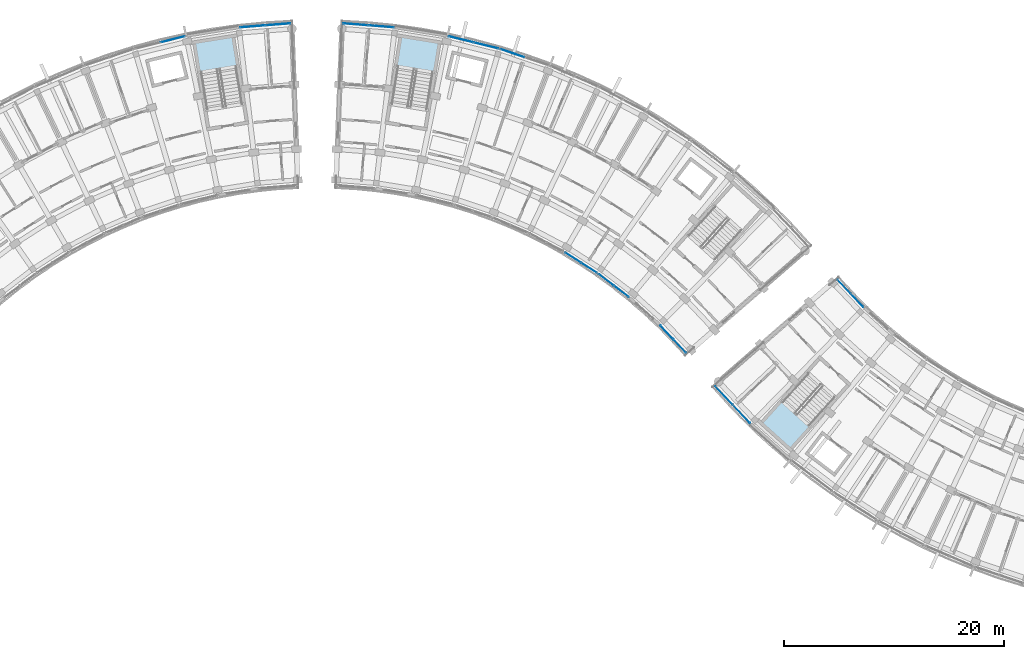
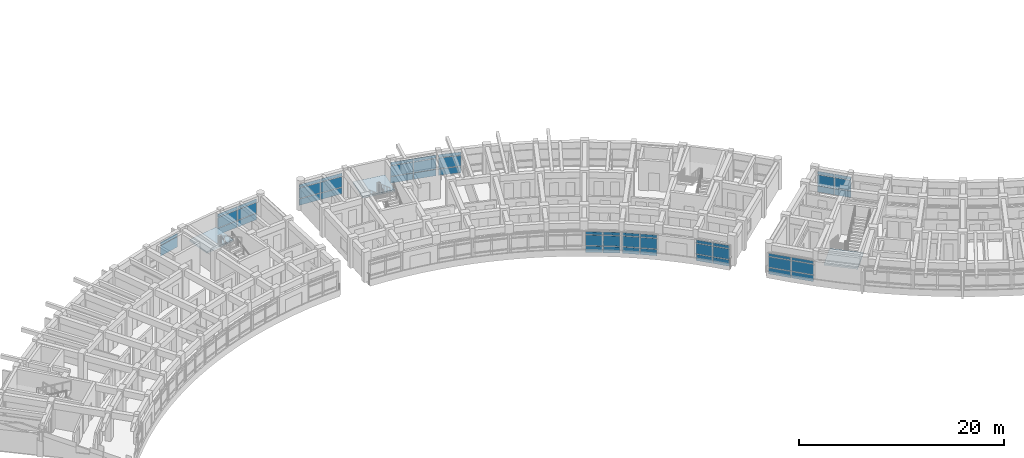
# One storey, part 47 of 83: 53 plates, 3 slabs, 13 elements without a shape of their own.
"""IFC4 building model written with IfcOpenShell, lengths in metres."""

import ifcopenshell
import ifcopenshell.guid

model = None  # the IFC model being written
_history = None  # IfcOwnerHistory: only IFC2X3 demands one
_inside = {}  # id of a spatial element -> (the spatial element, [elements in it])
_under = {}  # id of a project, library or spatial element -> (it, [spatial elements below it])
_declared = {}  # id of a project -> (the project, [libraries it declares])
_typed = {}  # id of a type object -> (the type object, [elements of that type])
_made_of = {}  # id of a material, layer set ... -> (it, [elements and type objects made of it])


def new_model(schema):
    """Start an empty IFC model of exactly this schema.

    Asked for "IFC4X3", IfcOpenShell would pick the latest addendum, in which some entities
    have other attributes; the version numbers below select the first issue.
    IFC2X3 requires an IfcOwnerHistory on every rooted entity: one is made here for all.
    """
    global model, _history
    if schema == "IFC4X3":
        model = ifcopenshell.file(schema_version=(4, 3, 0, 0))
    else:
        model = ifcopenshell.file(schema=schema)
    _inside.clear()
    _under.clear()
    _declared.clear()
    _typed.clear()
    _made_of.clear()
    _history = None
    if model.schema == "IFC2X3":
        org = make("IfcOrganization", Name="unknown")
        user = make(
            "IfcPersonAndOrganization",
            ThePerson=make("IfcPerson", FamilyName="unknown"),
            TheOrganization=org,
        )
        app = make(
            "IfcApplication",
            ApplicationDeveloper=org,
            Version="unknown",
            ApplicationFullName="unknown",
            ApplicationIdentifier="unknown",
        )
        _history = make(
            "IfcOwnerHistory",
            OwningUser=user,
            OwningApplication=app,
            ChangeAction="ADDED",
            CreationDate=0,
        )
    return model


def make(cls, **values):
    """One entity of the class cls with the attributes given. An attribute that is None is left unset."""
    return model.create_entity(
        cls, **{name: value for name, value in values.items() if value is not None}
    )


def rooted(cls, **values):
    """An entity with a GlobalId (a new one), such as an element, a storey or a relation."""
    return make(cls, GlobalId=ifcopenshell.guid.new(), OwnerHistory=_history, **values)


def si_unit(unit_type, name, prefix=None):
    """IfcSIUnit, for example si_unit("LENGTHUNIT", "METRE", prefix="MILLI")."""
    return make("IfcSIUnit", UnitType=unit_type, Prefix=prefix, Name=name)


def assignment(units):
    """IfcUnitAssignment: the units of a project."""
    return None if units is None else make("IfcUnitAssignment", Units=units)


def point(xyz):
    """IfcCartesianPoint."""
    return None if xyz is None else make("IfcCartesianPoint", Coordinates=xyz)


def direction(xyz):
    """IfcDirection."""
    return None if xyz is None else make("IfcDirection", DirectionRatios=xyz)


def frame(location, z_axis=None, x_axis=None):
    """IfcAxis2Placement3D, a coordinate frame: its origin and axes. An axis left out is left unset."""
    return make(
        "IfcAxis2Placement3D",
        Location=point(location),
        Axis=direction(z_axis),
        RefDirection=direction(x_axis),
    )


def frame_2d(location, x_axis=None):
    """IfcAxis2Placement2D, a coordinate frame in the plane: its origin and x axis."""
    return make(
        "IfcAxis2Placement2D", Location=point(location), RefDirection=direction(x_axis)
    )


def origin():
    """The frame at (0, 0, 0) with its axes left unset."""
    return frame((0.0, 0.0, 0.0))


def origin_2d():
    """The frame at (0, 0) in the plane with its x axis left unset."""
    return frame_2d((0.0, 0.0))


def place(relative_to, where):
    """IfcLocalPlacement: puts the frame where relative to a parent placement (None: the world)."""
    return make(
        "IfcLocalPlacement", PlacementRelTo=relative_to, RelativePlacement=where
    )


def context(
    kind, dimensions, precision=None, world=None, true_north=None, identifier=None
):
    """IfcGeometricRepresentationContext, for example the 3D "Model" context."""
    return make(
        "IfcGeometricRepresentationContext",
        ContextIdentifier=identifier,
        ContextType=kind,
        CoordinateSpaceDimension=dimensions,
        Precision=precision,
        WorldCoordinateSystem=world,
        TrueNorth=true_north,
    )


def subcontext(parent, identifier, kind, view, scale=None):
    """IfcGeometricRepresentationSubContext, for example "Body" below "Model"."""
    return make(
        "IfcGeometricRepresentationSubContext",
        ContextIdentifier=identifier,
        ContextType=kind,
        ParentContext=parent,
        TargetScale=scale,
        TargetView=view,
    )


def project(units=None, contexts=None):
    """IfcProject with its units and contexts."""
    return rooted(
        "IfcProject",
        Name="project",
        RepresentationContexts=contexts,
        UnitsInContext=assignment(units),
    )


def spatial(cls, under=None, at=None, **own):
    """A site, building, storey or space (cls), placed at a placement, below another one or the project."""
    s = rooted(cls, ObjectPlacement=at, **own)
    if under is not None:
        _under.setdefault(under.id(), (under, []))[1].append(s)
    return s


def polyline(points):
    """IfcPolyline through the points."""
    return make("IfcPolyline", Points=[point(p) for p in points])


def profile(cls, at=None, kind="AREA", **sizes):
    """A parametric profile (cls). Its sizes go by their IFC names, for example OverallWidth=200.0."""
    return make(cls, ProfileType=kind, Position=at, **sizes)


def rectangle(**sizes):
    """IfcRectangleProfileDef."""
    return profile("IfcRectangleProfileDef", **sizes)


def outline(outer, holes=None, kind="AREA"):
    """IfcArbitraryClosedProfileDef: a profile drawn as a closed curve; with holes, ...WithVoids."""
    if holes is None:
        return make("IfcArbitraryClosedProfileDef", ProfileType=kind, OuterCurve=outer)
    return make(
        "IfcArbitraryProfileDefWithVoids",
        ProfileType=kind,
        OuterCurve=outer,
        InnerCurves=holes,
    )


def extrude(swept, where, along, depth):
    """IfcExtrudedAreaSolid: the profile swept, set in the frame where, extruded along a direction by depth."""
    return make(
        "IfcExtrudedAreaSolid",
        SweptArea=swept,
        Position=where,
        ExtrudedDirection=direction(along),
        Depth=depth,
    )


def shape(context_of_items, identifier, shape_type, items):
    """IfcShapeRepresentation: the items that make up one representation, for example the "Body"."""
    return make(
        "IfcShapeRepresentation",
        ContextOfItems=context_of_items,
        RepresentationIdentifier=identifier,
        RepresentationType=shape_type,
        Items=items,
    )


def material(Name=None, Category=None):
    """IfcMaterial."""
    return make("IfcMaterial", Name=Name, Category=Category)


def layer(
    of_material, thickness, ventilated=None, Name=None, Category=None, Priority=None
):
    """IfcMaterialLayer: one layer of a wall or slab, of a material (None: an air gap)."""
    return make(
        "IfcMaterialLayer",
        Material=of_material,
        LayerThickness=thickness,
        IsVentilated=ventilated,
        Name=Name,
        Category=Category,
        Priority=Priority,
    )


def layer_set(layers, Name=None):
    """IfcMaterialLayerSet."""
    return make("IfcMaterialLayerSet", MaterialLayers=layers, LayerSetName=Name)


def made_of(thing, what):
    """Note that an element or type object is made of a material, layer set ...; save() writes the relation."""
    if what is not None:
        _made_of.setdefault(what.id(), (what, []))[1].append(thing)
    return thing


def type_object(cls, material=None, **own):
    """A type object (cls), such as IfcWallType, which elements share."""
    return made_of(rooted(cls, **own), material)


def element(
    cls,
    number,
    at=None,
    inside=None,
    cuts=None,
    type_object=None,
    material=None,
    context=None,
    identifier="Body",
    shape_type=None,
    held_by="IfcProductDefinitionShape",
    body=None,
    shapes=None,
    **own,
):
    """One element of the class cls, such as IfcWall. Its Tag is "e" and its number.

    at: its placement. inside: the storey or other place that contains it. cuts: it is an
    opening in that element (IfcRelVoidsElement). A single representation is given by context,
    identifier, shape_type and body (its items); several are given by shapes. held_by: the class
    of the entity that holds the representations. save() writes the other relations.
    """
    e = rooted(cls, Tag="e%d" % number, ObjectPlacement=at, **own)
    if body is not None:
        shapes = [shape(context, identifier, shape_type, body)]
    if shapes is not None:
        e.Representation = make(held_by, Representations=shapes)
    if inside is not None:
        _inside.setdefault(inside.id(), (inside, []))[1].append(e)
    if cuts is not None:
        rooted(
            "IfcRelVoidsElement", RelatingBuildingElement=cuts, RelatedOpeningElement=e
        )
    if type_object is not None:
        _typed.setdefault(type_object.id(), (type_object, []))[1].append(e)
    return made_of(e, material)


def aggregate(whole, parts):
    """IfcRelAggregates: a whole, such as a stair, and the parts it consists of."""
    return rooted("IfcRelAggregates", RelatingObject=whole, RelatedObjects=parts)


def save(model, path):
    """Write the relations noted so far, then the file.

    IfcRelAggregates (storeys below a building ...), IfcRelContainedInSpatialStructure (elements
    in a storey), IfcRelDefinesByType, IfcRelAssociatesMaterial and IfcRelDeclares: one each for
    every whole, place, type object, material and project.
    """
    for whole, parts in _under.values():
        aggregate(whole, parts)
    for where, things in _inside.values():
        rooted(
            "IfcRelContainedInSpatialStructure",
            RelatedElements=things,
            RelatingStructure=where,
        )
    for kind, things in _typed.values():
        rooted("IfcRelDefinesByType", RelatedObjects=things, RelatingType=kind)
    for what, things in _made_of.values():
        rooted("IfcRelAssociatesMaterial", RelatedObjects=things, RelatingMaterial=what)
    for by, libraries in _declared.values():
        rooted("IfcRelDeclares", RelatingContext=by, RelatedDefinitions=libraries)
    model.write(path)


model = new_model("IFC4")

# Units and contexts
model_context = context("Model", 3, precision=1e-05, world=origin(), true_north=direction((0.0, 1.0)))
body_context = subcontext(model_context, "Body", "Model", "MODEL_VIEW")
ifc_project = project(units=[si_unit("LENGTHUNIT", "METRE"), si_unit("AREAUNIT", "SQUARE_METRE"), si_unit("VOLUMEUNIT", "CUBIC_METRE"), si_unit("PLANEANGLEUNIT", "RADIAN"), si_unit("MASSUNIT", "GRAM", prefix="KILO")], contexts=[model_context])

# Site, building, storey
site_placement = place(None, origin())
site = spatial("IfcSite", under=ifc_project, at=site_placement, CompositionType="ELEMENT")
building_placement = place(site_placement, origin())
building = spatial("IfcBuilding", under=site, at=building_placement, Name="Zimvara Arc Housing Community", CompositionType="ELEMENT")
storey_placement = place(building_placement, frame((0.0, 0.0, 4.5)))
storey = spatial("IfcBuildingStorey", under=building, at=storey_placement, Name="L01", CompositionType="ELEMENT", Elevation=4.5)

# Curtain wall, plates
ifc_material_1 = material(Name="Anodised Aluminium AW-6063", Category="aluminium")
curtain_wall_type_1 = type_object("IfcCurtainWallType", Name="CW-SYS-04", PredefinedType="USERDEFINED", material=ifc_material_1)
curtain_wall_1_placement = place(storey_placement, origin())
curtain_wall_1 = element("IfcCurtainWall", 1, at=curtain_wall_1_placement, inside=storey, type_object=curtain_wall_type_1, Name="cw:blkB:L01:in:b6", ObjectType="CURTAIN WALL", PredefinedType="USERDEFINED")
ifc_material_2 = material(Name="Pale-Gold Anodised Aluminium Spandrel Panel", Category="aluminium")
ifc_layer_1 = layer(ifc_material_2, 0.035888671875)
ifc_layer_set_1 = layer_set([ifc_layer_1], Name="Pale-Gold Anodised Aluminium Spandrel Panel")
plate_type_1 = type_object("IfcPlateType", Name="CWP-GLD-36", PredefinedType="CURTAIN_PANEL", material=ifc_layer_set_1)
plate_1_placement = place(storey_placement, frame((68.3046875, 82.5166015625, 0.06494140625), z_axis=(0.0, 0.0, 1.0), x_axis=(0.842264751752, -0.539064085203, 0.0)))
plate_1 = element("IfcPlate", 2, at=plate_1_placement, type_object=plate_type_1, Name="CW04 panel 1.1", PredefinedType="CURTAIN_PANEL", context=body_context, shape_type="SweptSolid", body=[
    extrude(rectangle(XDim=1.664306640625, YDim=0.035888671875, at=origin_2d()), origin(), (0.0, 0.0, 1.0), 0.75244140625),
])
plate_2_placement = place(storey_placement, frame((68.3046875, 82.5166015625, 0.88232421875), z_axis=(0.0, 0.0, 1.0), x_axis=(0.842264751752, -0.539064085203, 0.0)))
plate_2 = element("IfcPlate", 3, at=plate_2_placement, type_object=plate_type_1, Name="CW04 panel 1.2", PredefinedType="CURTAIN_PANEL", context=body_context, shape_type="SweptSolid", body=[
    extrude(rectangle(XDim=1.664306640625, YDim=0.035888671875, at=origin_2d()), origin(), (0.0, 0.0, 1.0), 1.235107421875),
])
plate_3_placement = place(storey_placement, frame((68.3046875, 82.5166015625, 2.182373046875), z_axis=(0.0, 0.0, 1.0), x_axis=(0.842264751752, -0.539064085203, 0.0)))
plate_3 = element("IfcPlate", 4, at=plate_3_placement, type_object=plate_type_1, Name="CW04 panel 1.3", PredefinedType="CURTAIN_PANEL", context=body_context, shape_type="SweptSolid", body=[
    extrude(rectangle(XDim=1.664306640625, YDim=0.035888671875, at=origin_2d()), origin(), (0.0, 0.0, 1.0), 0.3525390625),
])
plate_4_placement = place(storey_placement, frame((69.76123046875, 81.58447265625, 0.06494140625), z_axis=(0.0, 0.0, 1.0), x_axis=(0.842264751752, -0.539064085203, 0.0)))
plate_4 = element("IfcPlate", 5, at=plate_4_placement, type_object=plate_type_1, Name="CW04 panel 2.1", PredefinedType="CURTAIN_PANEL", context=body_context, shape_type="SweptSolid", body=[
    extrude(rectangle(XDim=1.664306640625, YDim=0.035888671875, at=origin_2d()), origin(), (0.0, 0.0, 1.0), 0.75244140625),
])
plate_5_placement = place(storey_placement, frame((69.76123046875, 81.58447265625, 0.88232421875), z_axis=(0.0, 0.0, 1.0), x_axis=(0.842264751752, -0.539064085203, 0.0)))
plate_5 = element("IfcPlate", 6, at=plate_5_placement, type_object=plate_type_1, Name="CW04 panel 2.2", PredefinedType="CURTAIN_PANEL", context=body_context, shape_type="SweptSolid", body=[
    extrude(rectangle(XDim=1.664306640625, YDim=0.035888671875, at=origin_2d()), origin(), (0.0, 0.0, 1.0), 1.235107421875),
])
plate_6_placement = place(storey_placement, frame((69.76123046875, 81.58447265625, 2.182373046875), z_axis=(0.0, 0.0, 1.0), x_axis=(0.842264751752, -0.539064085203, 0.0)))
plate_6 = element("IfcPlate", 7, at=plate_6_placement, type_object=plate_type_1, Name="CW04 panel 2.3", PredefinedType="CURTAIN_PANEL", context=body_context, shape_type="SweptSolid", body=[
    extrude(rectangle(XDim=1.664306640625, YDim=0.035888671875, at=origin_2d()), origin(), (0.0, 0.0, 1.0), 0.3525390625),
])
aggregate(curtain_wall_1, [plate_1, plate_2, plate_3, plate_4, plate_5, plate_6])

ifc_material_3 = material(Name="Anodised Aluminium AW-6063", Category="aluminium")
curtain_wall_type_2 = type_object("IfcCurtainWallType", Name="CW-SYS-08", PredefinedType="USERDEFINED", material=ifc_material_3)
curtain_wall_2_placement = place(storey_placement, origin())
curtain_wall_2 = element("IfcCurtainWall", 8, at=curtain_wall_2_placement, inside=storey, type_object=curtain_wall_type_2, Name="cw:blkB:L01:in:b9", ObjectType="CURTAIN WALL", PredefinedType="USERDEFINED")
plate_7_placement = place(storey_placement, frame((76.831298828125, 75.727294921875, 0.06494140625), z_axis=(0.0, 0.0, 1.0), x_axis=(0.686326805658, -0.727293280483, 0.0)))
plate_7 = element("IfcPlate", 9, at=plate_7_placement, type_object=plate_type_1, Name="CW08 panel 1.1", PredefinedType="CURTAIN_PANEL", context=body_context, shape_type="SweptSolid", body=[
    extrude(rectangle(XDim=1.664306640625, YDim=0.035888671875, at=origin_2d()), origin(), (0.0, 0.0, 1.0), 0.75244140625),
])
plate_8_placement = place(storey_placement, frame((76.831298828125, 75.727294921875, 0.88232421875), z_axis=(0.0, 0.0, 1.0), x_axis=(0.686326805658, -0.727293280483, 0.0)))
plate_8 = element("IfcPlate", 10, at=plate_8_placement, type_object=plate_type_1, Name="CW08 panel 1.2", PredefinedType="CURTAIN_PANEL", context=body_context, shape_type="SweptSolid", body=[
    extrude(rectangle(XDim=1.664306640625, YDim=0.035888671875, at=origin_2d()), origin(), (0.0, 0.0, 1.0), 1.235107421875),
])
plate_9_placement = place(storey_placement, frame((76.831298828125, 75.727294921875, 2.182373046875), z_axis=(0.0, 0.0, 1.0), x_axis=(0.686326805658, -0.727293280483, 0.0)))
plate_9 = element("IfcPlate", 11, at=plate_9_placement, type_object=plate_type_1, Name="CW08 panel 1.3", PredefinedType="CURTAIN_PANEL", context=body_context, shape_type="SweptSolid", body=[
    extrude(rectangle(XDim=1.664306640625, YDim=0.035888671875, at=origin_2d()), origin(), (0.0, 0.0, 1.0), 0.3525390625),
])
plate_10_placement = place(storey_placement, frame((78.018310546875, 74.469482421875, 0.06494140625), z_axis=(0.0, 0.0, 1.0), x_axis=(0.686326805658, -0.727293280483, 0.0)))
plate_10 = element("IfcPlate", 12, at=plate_10_placement, type_object=plate_type_1, Name="CW08 panel 2.1", PredefinedType="CURTAIN_PANEL", context=body_context, shape_type="SweptSolid", body=[
    extrude(rectangle(XDim=1.664306640625, YDim=0.035888671875, at=origin_2d()), origin(), (0.0, 0.0, 1.0), 0.75244140625),
])
plate_11_placement = place(storey_placement, frame((78.018310546875, 74.469482421875, 0.88232421875), z_axis=(0.0, 0.0, 1.0), x_axis=(0.686326805658, -0.727293280483, 0.0)))
plate_11 = element("IfcPlate", 13, at=plate_11_placement, type_object=plate_type_1, Name="CW08 panel 2.2", PredefinedType="CURTAIN_PANEL", context=body_context, shape_type="SweptSolid", body=[
    extrude(rectangle(XDim=1.664306640625, YDim=0.035888671875, at=origin_2d()), origin(), (0.0, 0.0, 1.0), 1.235107421875),
])
plate_12_placement = place(storey_placement, frame((78.018310546875, 74.469482421875, 2.182373046875), z_axis=(0.0, 0.0, 1.0), x_axis=(0.686326805658, -0.727293280483, 0.0)))
plate_12 = element("IfcPlate", 14, at=plate_12_placement, type_object=plate_type_1, Name="CW08 panel 2.3", PredefinedType="CURTAIN_PANEL", context=body_context, shape_type="SweptSolid", body=[
    extrude(rectangle(XDim=1.664306640625, YDim=0.035888671875, at=origin_2d()), origin(), (0.0, 0.0, 1.0), 0.3525390625),
])
aggregate(curtain_wall_2, [plate_7, plate_8, plate_9, plate_10, plate_11, plate_12])

ifc_material_4 = material(Name="Anodised Aluminium AW-6063", Category="aluminium")
curtain_wall_type_3 = type_object("IfcCurtainWallType", Name="CW-SYS-05", PredefinedType="USERDEFINED", material=ifc_material_4)
curtain_wall_3_placement = place(storey_placement, origin())
curtain_wall_3 = element("IfcCurtainWall", 15, at=curtain_wall_3_placement, inside=storey, type_object=curtain_wall_type_3, Name="cw:blkA:L01:out:b7", ObjectType="CURTAIN WALL", PredefinedType="USERDEFINED")
ifc_material_5 = material(Name="Solar Control Low-E Double Glazing", Category="glass")
ifc_layer_2 = layer(ifc_material_5, 0.02392578125)
ifc_layer_set_2 = layer_set([ifc_layer_2], Name="Solar Control Low-E Double Glazing")
plate_type_2 = type_object("IfcPlateType", Name="CWP-GLZ-24", PredefinedType="CURTAIN_PANEL", material=ifc_layer_set_2)
plate_13_placement = place(storey_placement, frame((31.87890625, 102.373291015625, 0.88232421875), z_axis=(0.0, 0.0, 1.0), x_axis=(0.970716068627, 0.240229711131, 0.0)))
plate_13 = element("IfcPlate", 16, at=plate_13_placement, type_object=plate_type_2, Name="CW05 panel 2.2", PredefinedType="CURTAIN_PANEL", context=body_context, shape_type="SweptSolid", body=[
    extrude(rectangle(XDim=2.266845703125, YDim=0.02392578125, at=origin_2d()), origin(), (0.0, 0.0, 1.0), 1.235107421875),
])
plate_14_placement = place(storey_placement, frame((31.87890625, 102.373291015625, 2.182373046875), z_axis=(0.0, 0.0, 1.0), x_axis=(0.970716068627, 0.240229711131, 0.0)))
plate_14 = element("IfcPlate", 17, at=plate_14_placement, type_object=plate_type_2, Name="CW05 panel 2.3", PredefinedType="CURTAIN_PANEL", context=body_context, shape_type="SweptSolid", body=[
    extrude(rectangle(XDim=2.266845703125, YDim=0.02392578125, at=origin_2d()), origin(), (0.0, 0.0, 1.0), 0.3525390625),
])
aggregate(curtain_wall_3, [plate_13, plate_14])

ifc_material_6 = material(Name="Anodised Aluminium AW-6063", Category="aluminium")
curtain_wall_type_4 = type_object("IfcCurtainWallType", Name="CW-SYS-01", PredefinedType="USERDEFINED", material=ifc_material_6)
curtain_wall_4_placement = place(storey_placement, origin())
curtain_wall_4 = element("IfcCurtainWall", 18, at=curtain_wall_4_placement, inside=storey, type_object=curtain_wall_type_4, Name="cw:blkB:L01:out:b0", ObjectType="CURTAIN WALL", PredefinedType="USERDEFINED")
plate_15_placement = place(storey_placement, frame((48.533935546875, 103.736572265625, 0.06494140625), z_axis=(0.0, 0.0, 1.0), x_axis=(0.996862418963, -0.079153759607, 0.0)))
plate_15 = element("IfcPlate", 19, at=plate_15_placement, type_object=plate_type_2, Name="CW01 panel 1.1", PredefinedType="CURTAIN_PANEL", context=body_context, shape_type="SweptSolid", body=[
    extrude(rectangle(XDim=2.266845703125, YDim=0.02392578125, at=origin_2d()), origin(), (0.0, 0.0, 1.0), 0.75244140625),
])
plate_16_placement = place(storey_placement, frame((48.533935546875, 103.736572265625, 0.88232421875), z_axis=(0.0, 0.0, 1.0), x_axis=(0.996862418963, -0.079153759607, 0.0)))
plate_16 = element("IfcPlate", 20, at=plate_16_placement, type_object=plate_type_2, Name="CW01 panel 1.2", PredefinedType="CURTAIN_PANEL", context=body_context, shape_type="SweptSolid", body=[
    extrude(rectangle(XDim=2.266845703125, YDim=0.02392578125, at=origin_2d()), origin(), (0.0, 0.0, 1.0), 1.235107421875),
])
plate_17_placement = place(storey_placement, frame((48.533935546875, 103.736572265625, 2.182373046875), z_axis=(0.0, 0.0, 1.0), x_axis=(0.996862418963, -0.079153759607, 0.0)))
plate_17 = element("IfcPlate", 21, at=plate_17_placement, type_object=plate_type_2, Name="CW01 panel 1.3", PredefinedType="CURTAIN_PANEL", context=body_context, shape_type="SweptSolid", body=[
    extrude(rectangle(XDim=2.266845703125, YDim=0.02392578125, at=origin_2d()), origin(), (0.0, 0.0, 1.0), 0.3525390625),
])
plate_18_placement = place(storey_placement, frame((50.858642578125, 103.552001953125, 0.06494140625), z_axis=(0.0, 0.0, 1.0), x_axis=(0.996862418963, -0.079153759607, 0.0)))
plate_18 = element("IfcPlate", 22, at=plate_18_placement, type_object=plate_type_2, Name="CW01 panel 2.1", PredefinedType="CURTAIN_PANEL", context=body_context, shape_type="SweptSolid", body=[
    extrude(rectangle(XDim=2.266845703125, YDim=0.02392578125, at=origin_2d()), origin(), (0.0, 0.0, 1.0), 0.75244140625),
])
plate_19_placement = place(storey_placement, frame((50.858642578125, 103.552001953125, 0.88232421875), z_axis=(0.0, 0.0, 1.0), x_axis=(0.996862418963, -0.079153759607, 0.0)))
plate_19 = element("IfcPlate", 23, at=plate_19_placement, type_object=plate_type_2, Name="CW01 panel 2.2", PredefinedType="CURTAIN_PANEL", context=body_context, shape_type="SweptSolid", body=[
    extrude(rectangle(XDim=2.266845703125, YDim=0.02392578125, at=origin_2d()), origin(), (0.0, 0.0, 1.0), 1.235107421875),
])
plate_20_placement = place(storey_placement, frame((50.858642578125, 103.552001953125, 2.182373046875), z_axis=(0.0, 0.0, 1.0), x_axis=(0.996862418963, -0.079153759607, 0.0)))
plate_20 = element("IfcPlate", 24, at=plate_20_placement, type_object=plate_type_2, Name="CW01 panel 2.3", PredefinedType="CURTAIN_PANEL", context=body_context, shape_type="SweptSolid", body=[
    extrude(rectangle(XDim=2.266845703125, YDim=0.02392578125, at=origin_2d()), origin(), (0.0, 0.0, 1.0), 0.3525390625),
])
aggregate(curtain_wall_4, [plate_15, plate_16, plate_17, plate_18, plate_19, plate_20])

curtain_wall_5_placement = place(storey_placement, origin())
curtain_wall_5 = element("IfcCurtainWall", 25, at=curtain_wall_5_placement, inside=storey, type_object=curtain_wall_type_3, Name="cw:blkB:L01:out:b3", ObjectType="CURTAIN WALL", PredefinedType="USERDEFINED")
plate_21_placement = place(storey_placement, frame((62.799072265625, 101.109619140625, 0.06494140625), z_axis=(0.0, 0.0, 1.0), x_axis=(0.947879647164, -0.318628583921, 0.0)))
plate_21 = element("IfcPlate", 26, at=plate_21_placement, type_object=plate_type_2, Name="CW05 panel 1.1", PredefinedType="CURTAIN_PANEL", context=body_context, shape_type="SweptSolid", body=[
    extrude(rectangle(XDim=2.266845703125, YDim=0.02392578125, at=origin_2d()), origin(), (0.0, 0.0, 1.0), 0.75244140625),
])
plate_22_placement = place(storey_placement, frame((62.799072265625, 101.109619140625, 0.88232421875), z_axis=(0.0, 0.0, 1.0), x_axis=(0.947879647164, -0.318628583921, 0.0)))
plate_22 = element("IfcPlate", 27, at=plate_22_placement, type_object=plate_type_2, Name="CW05 panel 1.2", PredefinedType="CURTAIN_PANEL", context=body_context, shape_type="SweptSolid", body=[
    extrude(rectangle(XDim=2.266845703125, YDim=0.02392578125, at=origin_2d()), origin(), (0.0, 0.0, 1.0), 1.235107421875),
])
plate_23_placement = place(storey_placement, frame((62.799072265625, 101.109619140625, 2.182373046875), z_axis=(0.0, 0.0, 1.0), x_axis=(0.947879647164, -0.318628583921, 0.0)))
plate_23 = element("IfcPlate", 28, at=plate_23_placement, type_object=plate_type_2, Name="CW05 panel 1.3", PredefinedType="CURTAIN_PANEL", context=body_context, shape_type="SweptSolid", body=[
    extrude(rectangle(XDim=2.266845703125, YDim=0.02392578125, at=origin_2d()), origin(), (0.0, 0.0, 1.0), 0.3525390625),
])
aggregate(curtain_wall_5, [plate_21, plate_22, plate_23])

curtain_wall_6_placement = place(storey_placement, origin())
curtain_wall_6 = element("IfcCurtainWall", 29, at=curtain_wall_6_placement, inside=storey, type_object=curtain_wall_type_3, Name="cw:blkC:L01:out:b0", ObjectType="CURTAIN WALL", PredefinedType="USERDEFINED")
plate_24_placement = place(storey_placement, frame((82.029052734375, 69.988037109375, 0.06494140625), z_axis=(0.0, 0.0, 1.0), x_axis=(0.686326416495, -0.727293647725, 0.0)))
plate_24 = element("IfcPlate", 30, at=plate_24_placement, type_object=plate_type_2, Name="CW05 panel 1.1", PredefinedType="CURTAIN_PANEL", context=body_context, shape_type="SweptSolid", body=[
    extrude(rectangle(XDim=2.266845703125, YDim=0.02392578125, at=origin_2d()), origin(), (0.0, 0.0, 1.0), 0.75244140625),
])
plate_25_placement = place(storey_placement, frame((82.029052734375, 69.988037109375, 0.88232421875), z_axis=(0.0, 0.0, 1.0), x_axis=(0.686326416495, -0.727293647725, 0.0)))
plate_25 = element("IfcPlate", 31, at=plate_25_placement, type_object=plate_type_2, Name="CW05 panel 1.2", PredefinedType="CURTAIN_PANEL", context=body_context, shape_type="SweptSolid", body=[
    extrude(rectangle(XDim=2.266845703125, YDim=0.02392578125, at=origin_2d()), origin(), (0.0, 0.0, 1.0), 1.235107421875),
])
plate_26_placement = place(storey_placement, frame((82.029052734375, 69.988037109375, 2.182373046875), z_axis=(0.0, 0.0, 1.0), x_axis=(0.686326416495, -0.727293647725, 0.0)))
plate_26 = element("IfcPlate", 32, at=plate_26_placement, type_object=plate_type_2, Name="CW05 panel 1.3", PredefinedType="CURTAIN_PANEL", context=body_context, shape_type="SweptSolid", body=[
    extrude(rectangle(XDim=2.266845703125, YDim=0.02392578125, at=origin_2d()), origin(), (0.0, 0.0, 1.0), 0.3525390625),
])
plate_27_placement = place(storey_placement, frame((83.629638671875, 68.2919921875, 0.06494140625), z_axis=(0.0, 0.0, 1.0), x_axis=(0.686326416495, -0.727293647725, 0.0)))
plate_27 = element("IfcPlate", 33, at=plate_27_placement, type_object=plate_type_2, Name="CW05 panel 2.1", PredefinedType="CURTAIN_PANEL", context=body_context, shape_type="SweptSolid", body=[
    extrude(rectangle(XDim=2.266845703125, YDim=0.02392578125, at=origin_2d()), origin(), (0.0, 0.0, 1.0), 0.75244140625),
])
plate_28_placement = place(storey_placement, frame((83.629638671875, 68.2919921875, 0.88232421875), z_axis=(0.0, 0.0, 1.0), x_axis=(0.686326416495, -0.727293647725, 0.0)))
plate_28 = element("IfcPlate", 34, at=plate_28_placement, type_object=plate_type_2, Name="CW05 panel 2.2", PredefinedType="CURTAIN_PANEL", context=body_context, shape_type="SweptSolid", body=[
    extrude(rectangle(XDim=2.266845703125, YDim=0.02392578125, at=origin_2d()), origin(), (0.0, 0.0, 1.0), 1.235107421875),
])
plate_29_placement = place(storey_placement, frame((83.629638671875, 68.2919921875, 2.182373046875), z_axis=(0.0, 0.0, 1.0), x_axis=(0.686326416495, -0.727293647725, 0.0)))
plate_29 = element("IfcPlate", 35, at=plate_29_placement, type_object=plate_type_2, Name="CW05 panel 2.3", PredefinedType="CURTAIN_PANEL", context=body_context, shape_type="SweptSolid", body=[
    extrude(rectangle(XDim=2.266845703125, YDim=0.02392578125, at=origin_2d()), origin(), (0.0, 0.0, 1.0), 0.3525390625),
])
aggregate(curtain_wall_6, [plate_24, plate_25, plate_26, plate_27, plate_28, plate_29])

ifc_material_7 = material(Name="Anodised Aluminium AW-6063", Category="aluminium")
curtain_wall_type_5 = type_object("IfcCurtainWallType", Name="CW-SYS-06", PredefinedType="USERDEFINED", material=ifc_material_7)
curtain_wall_7_placement = place(storey_placement, origin())
curtain_wall_7 = element("IfcCurtainWall", 36, at=curtain_wall_7_placement, inside=storey, type_object=curtain_wall_type_5, Name="cw:blkB:L01:in:b7", ObjectType="CURTAIN WALL", PredefinedType="USERDEFINED")
ifc_material_8 = material(Name="Solar Control Low-E Double Glazing", Category="glass")
ifc_layer_3 = layer(ifc_material_8, 0.028076171875)
ifc_layer_set_3 = layer_set([ifc_layer_3], Name="Solar Control Low-E Double Glazing")
plate_type_3 = type_object("IfcPlateType", Name="CWP-GLZ-28", PredefinedType="CURTAIN_PANEL", material=ifc_layer_set_3)
plate_30_placement = place(storey_placement, frame((71.328857421875, 80.48828125, 0.06494140625), z_axis=(0.0, 0.0, 1.0), x_axis=(0.795473543119, -0.605988318533, 0.0)))
plate_30 = element("IfcPlate", 37, at=plate_30_placement, type_object=plate_type_3, Name="CW06 panel 1.1", PredefinedType="CURTAIN_PANEL", context=body_context, shape_type="SweptSolid", body=[
    extrude(rectangle(XDim=1.664306640625, YDim=0.028076171875, at=origin_2d()), origin(), (0.0, 0.0, 1.0), 0.75244140625),
])
plate_31_placement = place(storey_placement, frame((71.328857421875, 80.48828125, 0.88232421875), z_axis=(0.0, 0.0, 1.0), x_axis=(0.795473543119, -0.605988318533, 0.0)))
plate_31 = element("IfcPlate", 38, at=plate_31_placement, type_object=plate_type_3, Name="CW06 panel 1.2", PredefinedType="CURTAIN_PANEL", context=body_context, shape_type="SweptSolid", body=[
    extrude(rectangle(XDim=1.664306640625, YDim=0.028076171875, at=origin_2d()), origin(), (0.0, 0.0, 1.0), 1.235107421875),
])
plate_32_placement = place(storey_placement, frame((71.328857421875, 80.48828125, 2.182373046875), z_axis=(0.0, 0.0, 1.0), x_axis=(0.795473543119, -0.605988318533, 0.0)))
plate_32 = element("IfcPlate", 39, at=plate_32_placement, type_object=plate_type_3, Name="CW06 panel 1.3", PredefinedType="CURTAIN_PANEL", context=body_context, shape_type="SweptSolid", body=[
    extrude(rectangle(XDim=1.664306640625, YDim=0.028076171875, at=origin_2d()), origin(), (0.0, 0.0, 1.0), 0.3525390625),
])
plate_33_placement = place(storey_placement, frame((72.704345703125, 79.4404296875, 0.06494140625), z_axis=(0.0, 0.0, 1.0), x_axis=(0.795473543119, -0.605988318533, 0.0)))
plate_33 = element("IfcPlate", 40, at=plate_33_placement, type_object=plate_type_3, Name="CW06 panel 2.1", PredefinedType="CURTAIN_PANEL", context=body_context, shape_type="SweptSolid", body=[
    extrude(rectangle(XDim=1.664306640625, YDim=0.028076171875, at=origin_2d()), origin(), (0.0, 0.0, 1.0), 0.75244140625),
])
plate_34_placement = place(storey_placement, frame((72.704345703125, 79.4404296875, 0.88232421875), z_axis=(0.0, 0.0, 1.0), x_axis=(0.795473543119, -0.605988318533, 0.0)))
plate_34 = element("IfcPlate", 41, at=plate_34_placement, type_object=plate_type_3, Name="CW06 panel 2.2", PredefinedType="CURTAIN_PANEL", context=body_context, shape_type="SweptSolid", body=[
    extrude(rectangle(XDim=1.664306640625, YDim=0.028076171875, at=origin_2d()), origin(), (0.0, 0.0, 1.0), 1.235107421875),
])
plate_35_placement = place(storey_placement, frame((72.704345703125, 79.4404296875, 2.182373046875), z_axis=(0.0, 0.0, 1.0), x_axis=(0.795473543119, -0.605988318533, 0.0)))
plate_35 = element("IfcPlate", 42, at=plate_35_placement, type_object=plate_type_3, Name="CW06 panel 2.3", PredefinedType="CURTAIN_PANEL", context=body_context, shape_type="SweptSolid", body=[
    extrude(rectangle(XDim=1.664306640625, YDim=0.028076171875, at=origin_2d()), origin(), (0.0, 0.0, 1.0), 0.3525390625),
])
aggregate(curtain_wall_7, [plate_30, plate_31, plate_32, plate_33, plate_34, plate_35])

curtain_wall_8_placement = place(storey_placement, origin())
curtain_wall_8 = element("IfcCurtainWall", 43, at=curtain_wall_8_placement, inside=storey, type_object=curtain_wall_type_5, Name="cw:blkC:L01:in:b0", ObjectType="CURTAIN WALL", PredefinedType="USERDEFINED")
plate_36_placement = place(storey_placement, frame((92.961669921875, 79.890625, 0.06494140625), z_axis=(0.0, 0.0, 1.0), x_axis=(0.686326805658, -0.727293280483, 0.0)))
plate_36 = element("IfcPlate", 44, at=plate_36_placement, type_object=plate_type_3, Name="CW06 panel 1.1", PredefinedType="CURTAIN_PANEL", context=body_context, shape_type="SweptSolid", body=[
    extrude(rectangle(XDim=1.664306640625, YDim=0.028076171875, at=origin_2d()), origin(), (0.0, 0.0, 1.0), 0.75244140625),
])
plate_37_placement = place(storey_placement, frame((92.961669921875, 79.890625, 0.88232421875), z_axis=(0.0, 0.0, 1.0), x_axis=(0.686326805658, -0.727293280483, 0.0)))
plate_37 = element("IfcPlate", 45, at=plate_37_placement, type_object=plate_type_3, Name="CW06 panel 1.2", PredefinedType="CURTAIN_PANEL", context=body_context, shape_type="SweptSolid", body=[
    extrude(rectangle(XDim=1.664306640625, YDim=0.028076171875, at=origin_2d()), origin(), (0.0, 0.0, 1.0), 1.235107421875),
])
plate_38_placement = place(storey_placement, frame((92.961669921875, 79.890625, 2.182373046875), z_axis=(0.0, 0.0, 1.0), x_axis=(0.686326805658, -0.727293280483, 0.0)))
plate_38 = element("IfcPlate", 46, at=plate_38_placement, type_object=plate_type_3, Name="CW06 panel 1.3", PredefinedType="CURTAIN_PANEL", context=body_context, shape_type="SweptSolid", body=[
    extrude(rectangle(XDim=1.664306640625, YDim=0.028076171875, at=origin_2d()), origin(), (0.0, 0.0, 1.0), 0.3525390625),
])
plate_39_placement = place(storey_placement, frame((94.148681640625, 78.6328125, 0.06494140625), z_axis=(0.0, 0.0, 1.0), x_axis=(0.686326805658, -0.727293280483, 0.0)))
plate_39 = element("IfcPlate", 47, at=plate_39_placement, type_object=plate_type_3, Name="CW06 panel 2.1", PredefinedType="CURTAIN_PANEL", context=body_context, shape_type="SweptSolid", body=[
    extrude(rectangle(XDim=1.664306640625, YDim=0.028076171875, at=origin_2d()), origin(), (0.0, 0.0, 1.0), 0.75244140625),
])
plate_40_placement = place(storey_placement, frame((94.148681640625, 78.6328125, 0.88232421875), z_axis=(0.0, 0.0, 1.0), x_axis=(0.686326805658, -0.727293280483, 0.0)))
plate_40 = element("IfcPlate", 48, at=plate_40_placement, type_object=plate_type_3, Name="CW06 panel 2.2", PredefinedType="CURTAIN_PANEL", context=body_context, shape_type="SweptSolid", body=[
    extrude(rectangle(XDim=1.664306640625, YDim=0.028076171875, at=origin_2d()), origin(), (0.0, 0.0, 1.0), 1.235107421875),
])
plate_41_placement = place(storey_placement, frame((94.148681640625, 78.6328125, 2.182373046875), z_axis=(0.0, 0.0, 1.0), x_axis=(0.686326805658, -0.727293280483, 0.0)))
plate_41 = element("IfcPlate", 49, at=plate_41_placement, type_object=plate_type_3, Name="CW06 panel 2.3", PredefinedType="CURTAIN_PANEL", context=body_context, shape_type="SweptSolid", body=[
    extrude(rectangle(XDim=1.664306640625, YDim=0.028076171875, at=origin_2d()), origin(), (0.0, 0.0, 1.0), 0.3525390625),
])
aggregate(curtain_wall_8, [plate_36, plate_37, plate_38, plate_39, plate_40, plate_41])

ifc_material_9 = material(Name="Anodised Aluminium AW-6063", Category="aluminium")
curtain_wall_type_6 = type_object("IfcCurtainWallType", Name="CW-SYS-07", PredefinedType="USERDEFINED", material=ifc_material_9)
curtain_wall_9_placement = place(storey_placement, origin())
curtain_wall_9 = element("IfcCurtainWall", 50, at=curtain_wall_9_placement, inside=storey, type_object=curtain_wall_type_6, Name="cw:blkA:L01:out:b9", ObjectType="CURTAIN WALL", PredefinedType="USERDEFINED")
ifc_material_10 = material(Name="Acoustic Laminated Solar Glazing", Category="glass")
ifc_layer_4 = layer(ifc_material_10, 0.031982421875)
ifc_layer_set_4 = layer_set([ifc_layer_4], Name="Acoustic Laminated Solar Glazing")
plate_type_4 = type_object("IfcPlateType", Name="CWP-GLZ-32", PredefinedType="CURTAIN_PANEL", material=ifc_layer_set_4)
plate_42_placement = place(storey_placement, frame((39.141357421875, 103.552001953125, 0.06494140625), z_axis=(0.0, 0.0, 1.0), x_axis=(0.996862418963, 0.079153759607, 0.0)))
plate_42 = element("IfcPlate", 51, at=plate_42_placement, type_object=plate_type_4, Name="CW07 panel 1.1", PredefinedType="CURTAIN_PANEL", context=body_context, shape_type="SweptSolid", body=[
    extrude(rectangle(XDim=2.266845703125, YDim=0.031982421875, at=origin_2d()), origin(), (0.0, 0.0, 1.0), 0.75244140625),
])
plate_43_placement = place(storey_placement, frame((39.141357421875, 103.552001953125, 0.88232421875), z_axis=(0.0, 0.0, 1.0), x_axis=(0.996862418963, 0.079153759607, 0.0)))
plate_43 = element("IfcPlate", 52, at=plate_43_placement, type_object=plate_type_4, Name="CW07 panel 1.2", PredefinedType="CURTAIN_PANEL", context=body_context, shape_type="SweptSolid", body=[
    extrude(rectangle(XDim=2.266845703125, YDim=0.031982421875, at=origin_2d()), origin(), (0.0, 0.0, 1.0), 1.235107421875),
])
plate_44_placement = place(storey_placement, frame((39.141357421875, 103.552001953125, 2.182373046875), z_axis=(0.0, 0.0, 1.0), x_axis=(0.996862418963, 0.079153759607, 0.0)))
plate_44 = element("IfcPlate", 53, at=plate_44_placement, type_object=plate_type_4, Name="CW07 panel 1.3", PredefinedType="CURTAIN_PANEL", context=body_context, shape_type="SweptSolid", body=[
    extrude(rectangle(XDim=2.266845703125, YDim=0.031982421875, at=origin_2d()), origin(), (0.0, 0.0, 1.0), 0.3525390625),
])
plate_45_placement = place(storey_placement, frame((41.466064453125, 103.736572265625, 0.06494140625), z_axis=(0.0, 0.0, 1.0), x_axis=(0.996862418963, 0.079153759607, 0.0)))
plate_45 = element("IfcPlate", 54, at=plate_45_placement, type_object=plate_type_4, Name="CW07 panel 2.1", PredefinedType="CURTAIN_PANEL", context=body_context, shape_type="SweptSolid", body=[
    extrude(rectangle(XDim=2.266845703125, YDim=0.031982421875, at=origin_2d()), origin(), (0.0, 0.0, 1.0), 0.75244140625),
])
plate_46_placement = place(storey_placement, frame((41.466064453125, 103.736572265625, 0.88232421875), z_axis=(0.0, 0.0, 1.0), x_axis=(0.996862418963, 0.079153759607, 0.0)))
plate_46 = element("IfcPlate", 55, at=plate_46_placement, type_object=plate_type_4, Name="CW07 panel 2.2", PredefinedType="CURTAIN_PANEL", context=body_context, shape_type="SweptSolid", body=[
    extrude(rectangle(XDim=2.266845703125, YDim=0.031982421875, at=origin_2d()), origin(), (0.0, 0.0, 1.0), 1.235107421875),
])
plate_47_placement = place(storey_placement, frame((41.466064453125, 103.736572265625, 2.182373046875), z_axis=(0.0, 0.0, 1.0), x_axis=(0.996862418963, 0.079153759607, 0.0)))
plate_47 = element("IfcPlate", 56, at=plate_47_placement, type_object=plate_type_4, Name="CW07 panel 2.3", PredefinedType="CURTAIN_PANEL", context=body_context, shape_type="SweptSolid", body=[
    extrude(rectangle(XDim=2.266845703125, YDim=0.031982421875, at=origin_2d()), origin(), (0.0, 0.0, 1.0), 0.3525390625),
])
aggregate(curtain_wall_9, [plate_42, plate_43, plate_44, plate_45, plate_46, plate_47])

ifc_material_11 = material(Name="Anodised Aluminium AW-6063", Category="aluminium")
curtain_wall_type_7 = type_object("IfcCurtainWallType", Name="CW-SYS-03", PredefinedType="USERDEFINED", material=ifc_material_11)
curtain_wall_10_placement = place(storey_placement, origin())
curtain_wall_10 = element("IfcCurtainWall", 57, at=curtain_wall_10_placement, inside=storey, type_object=curtain_wall_type_7, Name="cw:blkB:L01:out:b2", ObjectType="CURTAIN WALL", PredefinedType="USERDEFINED")
plate_48_placement = place(storey_placement, frame((58.12109375, 102.373291015625, 0.06494140625), z_axis=(0.0, 0.0, 1.0), x_axis=(0.970716068627, -0.240229711131, 0.0)))
plate_48 = element("IfcPlate", 58, at=plate_48_placement, type_object=plate_type_4, Name="CW03 panel 1.1", PredefinedType="CURTAIN_PANEL", context=body_context, shape_type="SweptSolid", body=[
    extrude(rectangle(XDim=2.266845703125, YDim=0.031982421875, at=origin_2d()), origin(), (0.0, 0.0, 1.0), 0.75244140625),
])
plate_49_placement = place(storey_placement, frame((58.12109375, 102.373291015625, 0.88232421875), z_axis=(0.0, 0.0, 1.0), x_axis=(0.970716068627, -0.240229711131, 0.0)))
plate_49 = element("IfcPlate", 59, at=plate_49_placement, type_object=plate_type_4, Name="CW03 panel 1.2", PredefinedType="CURTAIN_PANEL", context=body_context, shape_type="SweptSolid", body=[
    extrude(rectangle(XDim=2.266845703125, YDim=0.031982421875, at=origin_2d()), origin(), (0.0, 0.0, 1.0), 1.235107421875),
])
plate_50_placement = place(storey_placement, frame((58.12109375, 102.373291015625, 2.182373046875), z_axis=(0.0, 0.0, 1.0), x_axis=(0.970716068627, -0.240229711131, 0.0)))
plate_50 = element("IfcPlate", 60, at=plate_50_placement, type_object=plate_type_4, Name="CW03 panel 1.3", PredefinedType="CURTAIN_PANEL", context=body_context, shape_type="SweptSolid", body=[
    extrude(rectangle(XDim=2.266845703125, YDim=0.031982421875, at=origin_2d()), origin(), (0.0, 0.0, 1.0), 0.3525390625),
])
plate_51_placement = place(storey_placement, frame((60.384765625, 101.81298828125, 0.06494140625), z_axis=(0.0, 0.0, 1.0), x_axis=(0.970716068627, -0.240229711131, 0.0)))
plate_51 = element("IfcPlate", 61, at=plate_51_placement, type_object=plate_type_4, Name="CW03 panel 2.1", PredefinedType="CURTAIN_PANEL", context=body_context, shape_type="SweptSolid", body=[
    extrude(rectangle(XDim=2.266845703125, YDim=0.031982421875, at=origin_2d()), origin(), (0.0, 0.0, 1.0), 0.75244140625),
])
plate_52_placement = place(storey_placement, frame((60.384765625, 101.81298828125, 0.88232421875), z_axis=(0.0, 0.0, 1.0), x_axis=(0.970716068627, -0.240229711131, 0.0)))
plate_52 = element("IfcPlate", 62, at=plate_52_placement, type_object=plate_type_4, Name="CW03 panel 2.2", PredefinedType="CURTAIN_PANEL", context=body_context, shape_type="SweptSolid", body=[
    extrude(rectangle(XDim=2.266845703125, YDim=0.031982421875, at=origin_2d()), origin(), (0.0, 0.0, 1.0), 1.235107421875),
])
plate_53_placement = place(storey_placement, frame((60.384765625, 101.81298828125, 2.182373046875), z_axis=(0.0, 0.0, 1.0), x_axis=(0.970716068627, -0.240229711131, 0.0)))
plate_53 = element("IfcPlate", 63, at=plate_53_placement, type_object=plate_type_4, Name="CW03 panel 2.3", PredefinedType="CURTAIN_PANEL", context=body_context, shape_type="SweptSolid", body=[
    extrude(rectangle(XDim=2.266845703125, YDim=0.031982421875, at=origin_2d()), origin(), (0.0, 0.0, 1.0), 0.3525390625),
])
aggregate(curtain_wall_10, [plate_48, plate_49, plate_50, plate_51, plate_52, plate_53])

# Stair, slab
ifc_material_12 = material(Name="Concrete C35/45", Category="concrete")
stair_type_1 = type_object("IfcStairType", Name="STR-DL-315-360", PredefinedType="HALF_TURN_STAIR", material=ifc_material_12)
stair_1_placement = place(storey_placement, origin())
stair_1 = element("IfcStair", 64, at=stair_1_placement, inside=storey, type_object=stair_type_1, Name="L01 Block A Exit Stair 2", PredefinedType="HALF_TURN_STAIR")
ifc_material_13 = material(Name="Concrete C35/45", Category="concrete")
ifc_layer_5 = layer(ifc_material_13, 0.199951171875)
ifc_layer_set_5 = layer_set([ifc_layer_5], Name="Concrete C35/45")
slab_type = type_object("IfcSlabType", Name="SLB-STAIR-LND-200", PredefinedType="LANDING", material=ifc_layer_set_5)
slab_1_placement = place(storey_placement, frame((0.0, 0.0, 1.60009765625)))
slab_1 = element("IfcSlab", 65, at=slab_1_placement, type_object=slab_type, Name="ST-A2 landing 1", PredefinedType="LANDING", context=body_context, shape_type="SweptSolid", body=[
    extrude(outline(polyline([(37.713623046875, 99.873046875), (37.278564453125, 102.552978515625), (33.962158203125, 102.014404296875), (34.397216796875, 99.33447265625), (37.713623046875, 99.873046875)])), origin(), (0.0, 0.0, 1.0), 0.199951171875),
])
aggregate(stair_1, [slab_1])

stair_2_placement = place(storey_placement, origin())
stair_2 = element("IfcStair", 66, at=stair_2_placement, inside=storey, type_object=stair_type_1, Name="L01 Block B Exit Stair 1", PredefinedType="HALF_TURN_STAIR")
slab_2_placement = place(storey_placement, frame((0.0, 0.0, 1.60009765625)))
slab_2 = element("IfcSlab", 67, at=slab_2_placement, type_object=slab_type, Name="ST-B1 landing 1", PredefinedType="LANDING", context=body_context, shape_type="SweptSolid", body=[
    extrude(outline(polyline([(55.602783203125, 99.33447265625), (56.037841796875, 102.014404296875), (52.721435546875, 102.552978515625), (52.286376953125, 99.873046875), (55.602783203125, 99.33447265625)])), origin(), (0.0, 0.0, 1.0), 0.199951171875),
])
aggregate(stair_2, [slab_2])

ifc_material_14 = material(Name="Concrete C35/45", Category="concrete")
stair_type_2 = type_object("IfcStairType", Name="STR-DL-318-360", PredefinedType="HALF_TURN_STAIR", material=ifc_material_14)
stair_3_placement = place(storey_placement, origin())
stair_3 = element("IfcStair", 68, at=stair_3_placement, inside=storey, type_object=stair_type_2, Name="L01 Block C Exit Stair 1", PredefinedType="HALF_TURN_STAIR")
slab_3_placement = place(storey_placement, frame((0.0, 0.0, 1.60009765625)))
slab_3 = element("IfcSlab", 69, at=slab_3_placement, type_object=slab_type, Name="ST-C1 landing 1", PredefinedType="LANDING", context=body_context, shape_type="SweptSolid", body=[
    extrude(outline(polyline([(87.369384765625, 69.4599609375), (85.575439453125, 67.46630859375), (88.0732421875, 65.218994140625), (89.8671875, 67.212646484375), (87.369384765625, 69.4599609375)])), origin(), (0.0, 0.0, 1.0), 0.199951171875),
])
aggregate(stair_3, [slab_3])

save(model, "model.ifc")
